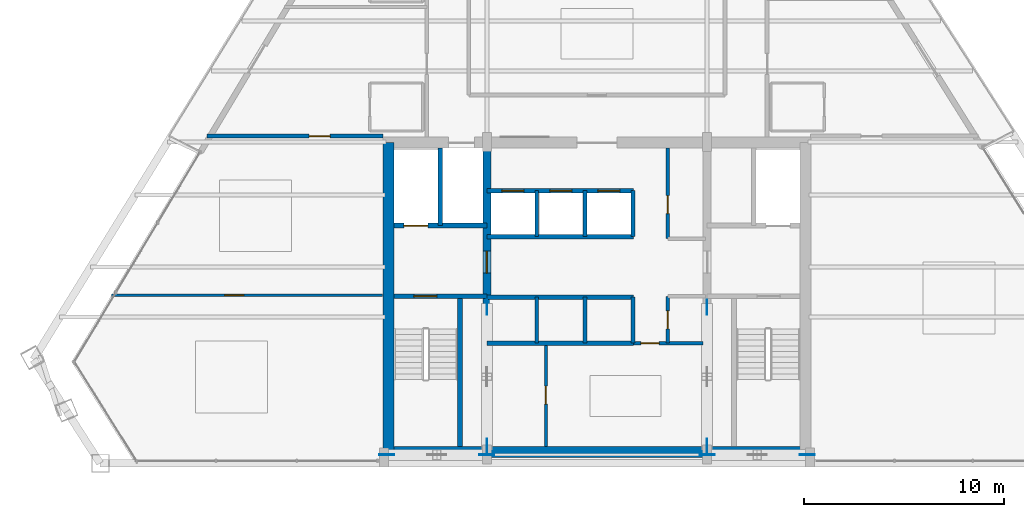
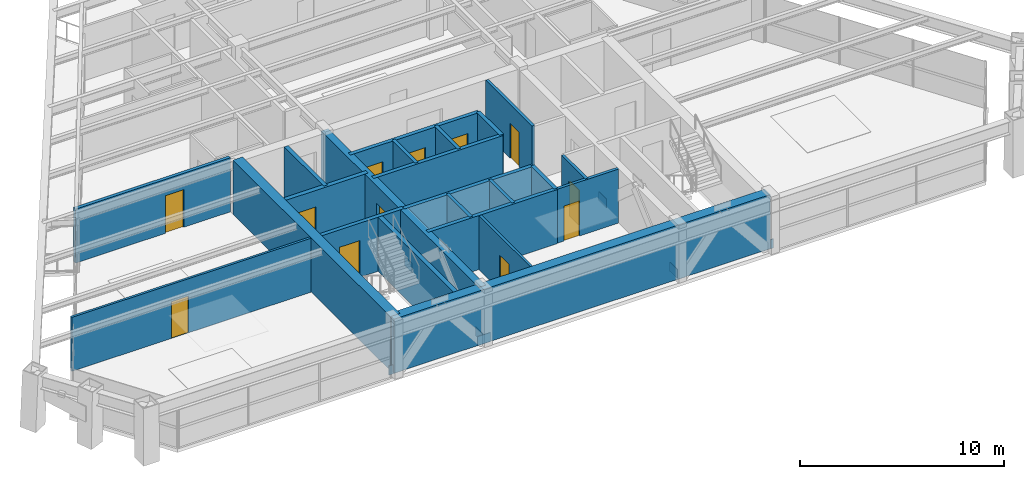
# One storey, part 8 of 12: 23 walls, 12 doors, 8 plates, 12 openings.
"""IFC4 building model written with IfcOpenShell, lengths in metres."""

from ifc_helpers import new_model, si_unit, direction, frame, frame_2d, origin, origin_2d, place, context, subcontext, project, spatial, rectangle, extrude, source, transform, mapped, material, layer, layer_set, type_object, type_shapes, element, fill, save


model = new_model("IFC4")

# Units and contexts
model_context = context("Model", 3, precision=1e-05, world=origin(), true_north=direction((0.0, 1.0)))
body_context = subcontext(model_context, "Body", "Model", "MODEL_VIEW")
ifc_project = project(units=[si_unit("LENGTHUNIT", "METRE"), si_unit("AREAUNIT", "SQUARE_METRE"), si_unit("VOLUMEUNIT", "CUBIC_METRE"), si_unit("PLANEANGLEUNIT", "RADIAN"), si_unit("MASSUNIT", "GRAM", prefix="KILO")], contexts=[model_context])

# Site, building, storey
site_placement = place(None, origin())
site = spatial("IfcSite", under=ifc_project, at=site_placement, CompositionType="ELEMENT")
building_placement = place(site_placement, origin())
building = spatial("IfcBuilding", under=site, at=building_placement, Name="Varnakhor Terracotta Tower", CompositionType="ELEMENT")
storey_placement = place(building_placement, frame((0.0, 0.0, 220.0)))
storey = spatial("IfcBuildingStorey", under=building, at=storey_placement, Name="L56", CompositionType="ELEMENT", Elevation=220.0)

# Plates
ifc_material_1 = material(Name="Steel S460", Category="steel")
ifc_layer_1 = layer(ifc_material_1, 0.050048828125, Name="Steel S460")
ifc_layer_set_1 = layer_set([ifc_layer_1], Name="Steel S460")
plate_type = type_object("IfcPlateType", Name="PLT-GUSSET-50", PredefinedType="USERDEFINED", material=ifc_layer_set_1)
shared_shape_1 = source(origin(), body_context, "Body", "SweptSolid", [
    extrude(rectangle(XDim=0.75, YDim=0.0400390625, at=origin_2d()), origin(), (0.0, 0.0, 1.0), 0.550048828125),
])
type_shapes(plate_type, [shared_shape_1])
for number, where, z_axis, x_axis, name in (
    (1, (-10.5, 0.419921875, -0.09521484375), (0.0, 0.0, 1.0), (1.0, 0.0, 0.0), "L56 Core Brace Embed Plate CSWA"),
    (2, (-5.5, 0.419921875, -0.09521484375), (0.0, 0.0, 1.0), (1.0, 0.0, 0.0), "L56 Core Brace Embed Plate CSWB"),
    (3, (5.5, 0.419921875, -0.09521484375), (0.0, 0.0, 1.0), (1.0, 0.0, 0.0), "L56 Core Brace Embed Plate CSEA"),
    (4, (10.5, 0.419921875, -0.09521484375), (0.0, 0.0, 1.0), (1.0, 0.0, 0.0), "L56 Core Brace Embed Plate CSEB"),
    (5, (-5.5, 0.85009765625, -0.09521484375), (0.0, 0.0, 1.0), (0.0, 1.0, 0.0), "L56 Core Brace Embed Plate CWWA"),
    (6, (-5.5, 7.800048828125, -0.09521484375), (0.0, 0.0, 1.0), (0.0, 1.0, 0.0), "L56 Core Brace Embed Plate CWWB"),
    (7, (5.5, 0.85009765625, -0.09521484375), (0.0, 0.0, 1.0), (0.0, 1.0, 0.0), "L56 Core Brace Embed Plate CWEA"),
    (8, (5.5, 7.800048828125, -0.09521484375), (0.0, 0.0, 1.0), (0.0, 1.0, 0.0), "L56 Core Brace Embed Plate CWEB"),
):
    element("IfcPlate", number, at=place(storey_placement, frame(where, z_axis=z_axis, x_axis=x_axis)), inside=storey, type_object=plate_type, Name=name, ObjectType="GUSSET PLATE", PredefinedType="USERDEFINED", context=body_context, shape_type="MappedRepresentation", body=[
        mapped(shared_shape_1, transform((0.0, 0.0, 0.0), scale=1.0)),
    ])

# Walls
ifc_material_2 = material(Name="Concrete C50/60", Category="concrete")
ifc_layer_2 = layer(ifc_material_2, 0.550048828125, Name="Concrete C50/60")
ifc_layer_set_2 = layer_set([ifc_layer_2], Name="Concrete C50/60")
wall_type_1 = type_object("IfcWallType", Name="WAL-CORE-550", PredefinedType="SHEAR", material=ifc_layer_set_2)
wall_1_placement = place(storey_placement, frame((-10.64990234375, 0.574951171875, 0.0), z_axis=(0.0, 0.0, 1.0), x_axis=(1.0, 0.0, 0.0)))
element("IfcWall", 9, at=wall_1_placement, inside=storey, type_object=wall_type_1, Name="L56 South Core Shear Wall", PredefinedType="SHEAR", context=body_context, shape_type="SweptSolid", body=[
    extrude(rectangle(XDim=21.2998046875, YDim=0.550048828125, at=frame_2d((10.64990234375, 0.0))), origin(), (0.0, 0.0, 1.0), 3.239990234375),
])
wall_2_placement = place(storey_placement, frame((-10.425048828125, 0.574951171875, 0.0), z_axis=(0.0, 0.0, 1.0), x_axis=(0.0, 1.0, 0.0)))
element("IfcWall", 10, at=wall_2_placement, inside=storey, type_object=wall_type_1, Name="L56 West Core Shear Wall", PredefinedType="SHEAR", context=body_context, shape_type="SweptSolid", body=[
    extrude(rectangle(XDim=15.449951171875, YDim=0.550048828125, at=frame_2d((7.72509765625, 0.0))), origin(), (0.0, 0.0, 1.0), 3.239990234375),
])

# Wall, opening, door
ifc_layer_3 = layer(ifc_material_2, 0.39990234375, Name="Concrete C50/60")
ifc_layer_set_3 = layer_set([ifc_layer_3], Name="Concrete C50/60")
wall_type_2 = type_object("IfcWallType", Name="WAL-CORE-WEB-400", PredefinedType="SHEAR", material=ifc_layer_set_3)
wall_3_placement = place(storey_placement, frame((-5.5, 0.574951171875, 0.0), z_axis=(0.0, 0.0, 1.0), x_axis=(0.0, 1.0, 0.0)))
wall_3 = element("IfcWall", 11, at=wall_3_placement, inside=storey, type_object=wall_type_2, Name="L56 West Core Web Shear Wall", PredefinedType="SHEAR", context=body_context, shape_type="SweptSolid", body=[
    extrude(rectangle(XDim=15.449951171875, YDim=0.39990234375, at=frame_2d((7.72509765625, 0.0))), origin(), (0.0, 0.0, 1.0), 3.239990234375),
])
opening_1_placement = place(wall_3_placement, frame((8.925048828125, 0.0, 0.0)))
opening_1 = element("IfcOpeningElement", 12, at=opening_1_placement, cuts=wall_3, Name="Opening DR-25", PredefinedType="OPENING", context=body_context, shape_type="SweptSolid", body=[
    extrude(rectangle(XDim=1.10009765625, YDim=2.199951171875, at=frame_2d((0.550048828125, 1.10009765625))), frame((0.0, 0.2099609375, 0.0), z_axis=(0.0, -1.0, 0.0), x_axis=(1.0, 0.0, 0.0)), (0.0, 0.0, 1.0), 0.419921875),
])
ifc_material_3 = material(Name="Firefighting Lobby Self-Closing Fire Door", Category="steel")
door_type_1 = type_object("IfcDoorType", Name="DR-FFL-1100X2200", OperationType="NOTDEFINED", PredefinedType="DOOR", material=ifc_material_3)
shared_shape_2 = source(origin(), body_context, "Body", "SweptSolid", [
    extrude(rectangle(XDim=1.10009765625, YDim=2.199951171875, at=frame_2d((0.550048828125, 1.10009765625))), frame((0.0, 0.02490234375, 0.0), z_axis=(0.0, -1.0, 0.0), x_axis=(1.0, 0.0, 0.0)), (0.0, 0.0, 1.0), 0.050048828125),
])
type_shapes(door_type_1, [shared_shape_2])
door_1_placement = place(opening_1_placement, origin())
door_1 = element("IfcDoor", 13, at=door_1_placement, inside=storey, type_object=door_type_1, Name="L56 West Firefighting Lobby Door", OperationType="SINGLE_SWING_RIGHT", OverallHeight=2.199951171875, OverallWidth=1.10009765625, PredefinedType="DOOR", context=body_context, shape_type="MappedRepresentation", body=[
    mapped(shared_shape_2, transform((0.0, 0.0, 0.0), scale=1.0)),
])
fill(opening_1, door_1)

ifc_material_4 = material(Name="Fire-Rated Gypsum Stud Partition", Category="gypsum")
ifc_layer_4 = layer(ifc_material_4, 0.18505859375, Name="Fire-Rated Gypsum Stud Partition")
ifc_layer_set_4 = layer_set([ifc_layer_4], Name="Fire-Rated Gypsum Stud Partition")
wall_type_3 = type_object("IfcWallType", Name="WAL-CORR-185", PredefinedType="PARTITIONING", material=ifc_layer_set_4)
wall_4_placement = place(storey_placement, frame((-19.477783203125, 16.35009765625, 0.0), z_axis=(0.0, 0.0, 1.0), x_axis=(1.0, 0.0, 0.0)))
wall_4 = element("IfcWall", 14, at=wall_4_placement, inside=storey, type_object=wall_type_3, Name="L56 South West Guest Entry Wall", PredefinedType="PARTITIONING", context=body_context, shape_type="SweptSolid", body=[
    extrude(rectangle(XDim=8.7978515625, YDim=0.18505859375, at=frame_2d((4.39892578125, 0.0))), origin(), (0.0, 0.0, 1.0), 3.23193359375),
])
opening_2_placement = place(wall_4_placement, frame((5.091552734375, 0.0, 0.0)))
opening_2 = element("IfcOpeningElement", 15, at=opening_2_placement, cuts=wall_4, Name="Opening DR-95", PredefinedType="OPENING", context=body_context, shape_type="SweptSolid", body=[
    extrude(rectangle(XDim=1.050048828125, YDim=2.25, at=frame_2d((0.52490234375, 1.125))), frame((0.0, 0.1025390625, 0.0), z_axis=(0.0, -1.0, 0.0), x_axis=(1.0, 0.0, 0.0)), (0.0, 0.0, 1.0), 0.205078125),
])
ifc_material_5 = material(Name="Solid-Core Timber Tenant/Hotel Entrance Door", Category="wood")
door_type_2 = type_object("IfcDoorType", Name="DR-SUITE-1050X2250", OperationType="NOTDEFINED", PredefinedType="DOOR", material=ifc_material_5)
shared_shape_3 = source(origin(), body_context, "Body", "SweptSolid", [
    extrude(rectangle(XDim=1.050048828125, YDim=2.25, at=frame_2d((0.52490234375, 1.125))), frame((0.0, 0.02490234375, 0.0), z_axis=(0.0, -1.0, 0.0), x_axis=(1.0, 0.0, 0.0)), (0.0, 0.0, 1.0), 0.050048828125),
])
type_shapes(door_type_2, [shared_shape_3])
door_2_placement = place(opening_2_placement, origin())
door_2 = element("IfcDoor", 16, at=door_2_placement, inside=storey, type_object=door_type_2, Name="L56 SW Suite Entry Door", OperationType="SINGLE_SWING_LEFT", OverallHeight=2.25, OverallWidth=1.050048828125, PredefinedType="DOOR", context=body_context, shape_type="MappedRepresentation", body=[
    mapped(shared_shape_3, transform((0.0, 0.0, 0.0), scale=1.0)),
])
fill(opening_2, door_2)

ifc_material_6 = material(Name="Concrete C40/50", Category="concrete")
ifc_layer_5 = layer(ifc_material_6, 0.219970703125, Name="Concrete C40/50")
ifc_layer_set_5 = layer_set([ifc_layer_5], Name="Concrete C40/50")
wall_type_4 = type_object("IfcWallType", Name="WAL-FFLOBBY-220", PredefinedType="SOLIDWALL", material=ifc_layer_set_5)
wall_5_placement = place(storey_placement, frame((-5.5, 8.35009765625, 0.0), z_axis=(0.0, 0.0, 1.0), x_axis=(-1.0, 0.0, 0.0)))
wall_5 = element("IfcWall", 17, at=wall_5_placement, inside=storey, type_object=wall_type_4, Name="L56 West Firefighting Lobby Stair Wall", PredefinedType="SOLIDWALL", context=body_context, shape_type="SweptSolid", body=[
    extrude(rectangle(XDim=4.64990234375, YDim=0.219970703125, at=frame_2d((2.324951171875, 0.0))), origin(), (0.0, 0.0, 1.0), 3.239990234375),
])
opening_3_placement = place(wall_5_placement, frame((2.5, 0.0, 0.0)))
opening_3 = element("IfcOpeningElement", 18, at=opening_3_placement, cuts=wall_5, Name="Opening DR-34", PredefinedType="OPENING", context=body_context, shape_type="SweptSolid", body=[
    extrude(rectangle(XDim=1.14990234375, YDim=2.199951171875, at=frame_2d((0.574951171875, 1.10009765625))), frame((0.0, 0.1201171875, 0.0), z_axis=(0.0, -1.0, 0.0), x_axis=(1.0, 0.0, 0.0)), (0.0, 0.0, 1.0), 0.239990234375),
])
ifc_material_7 = material(Name="Self-Closing Smoke-Sealed Steel Fire Door", Category="steel")
door_type_3 = type_object("IfcDoorType", Name="DR-STAIR-1150X2200", OperationType="NOTDEFINED", PredefinedType="DOOR", material=ifc_material_7)
shared_shape_4 = source(origin(), body_context, "Body", "SweptSolid", [
    extrude(rectangle(XDim=1.14990234375, YDim=2.199951171875, at=frame_2d((0.574951171875, 1.10009765625))), frame((0.0, 0.02490234375, 0.0), z_axis=(0.0, -1.0, 0.0), x_axis=(1.0, 0.0, 0.0)), (0.0, 0.0, 1.0), 0.050048828125),
])
type_shapes(door_type_3, [shared_shape_4])
door_3_placement = place(opening_3_placement, origin())
door_3 = element("IfcDoor", 19, at=door_3_placement, inside=storey, type_object=door_type_3, Name="L56 Exit Stair ST-1 Fire Door", OperationType="SINGLE_SWING_LEFT", OverallHeight=2.199951171875, OverallWidth=1.14990234375, PredefinedType="DOOR", context=body_context, shape_type="MappedRepresentation", body=[
    mapped(shared_shape_4, transform((0.0, 0.0, 0.0), scale=1.0)),
])
fill(opening_3, door_3)

ifc_material_8 = material(Name="Acoustic Hotel Room Partition", Category="gypsum")
ifc_layer_6 = layer(ifc_material_8, 0.1298828125, Name="Acoustic Hotel Room Partition")
ifc_layer_set_6 = layer_set([ifc_layer_6], Name="Acoustic Hotel Room Partition")
wall_type_5 = type_object("IfcWallType", Name="WAL-PART-130", PredefinedType="PARTITIONING", material=ifc_layer_set_6)
wall_6_placement = place(storey_placement, frame((-24.24609375, 8.39990234375, 0.0), z_axis=(0.0, 0.0, 1.0), x_axis=(1.0, 0.0, 0.0)))
wall_6 = element("IfcWall", 20, at=wall_6_placement, inside=storey, type_object=wall_type_5, Name="L56 SW Key Split 1", PredefinedType="PARTITIONING", context=body_context, shape_type="SweptSolid", body=[
    extrude(rectangle(XDim=13.526123046875, YDim=0.1298828125, at=frame_2d((6.76318359375, 0.0))), origin(), (0.0, 0.0, 1.0), 3.23193359375),
])
opening_4_placement = place(wall_6_placement, frame((5.645751953125, 0.0, 0.0)))
opening_4 = element("IfcOpeningElement", 21, at=opening_4_placement, cuts=wall_6, Name="Opening DR-94", PredefinedType="OPENING", context=body_context, shape_type="SweptSolid", body=[
    extrude(rectangle(XDim=0.949951171875, YDim=2.199951171875, at=frame_2d((0.47509765625, 1.10009765625))), frame((0.0, 0.074951171875, 0.0), z_axis=(0.0, -1.0, 0.0), x_axis=(1.0, 0.0, 0.0)), (0.0, 0.0, 1.0), 0.14990234375),
])
ifc_material_9 = material(Name="Acoustic Glazed-Vision Timber Office Door", Category="wood")
door_type_4 = type_object("IfcDoorType", Name="DR-OFF-950X2200", OperationType="NOTDEFINED", PredefinedType="DOOR", material=ifc_material_9)
shared_shape_5 = source(origin(), body_context, "Body", "SweptSolid", [
    extrude(rectangle(XDim=0.949951171875, YDim=2.199951171875, at=frame_2d((0.47509765625, 1.10009765625))), frame((0.0, 0.02490234375, 0.0), z_axis=(0.0, -1.0, 0.0), x_axis=(1.0, 0.0, 0.0)), (0.0, 0.0, 1.0), 0.050048828125),
])
type_shapes(door_type_4, [shared_shape_5])
door_4_placement = place(opening_4_placement, origin())
door_4 = element("IfcDoor", 22, at=door_4_placement, inside=storey, type_object=door_type_4, Name="L56 SW Suite Connect Door 1", OperationType="SINGLE_SWING_LEFT", OverallHeight=2.199951171875, OverallWidth=0.949951171875, PredefinedType="DOOR", context=body_context, shape_type="MappedRepresentation", body=[
    mapped(shared_shape_5, transform((0.0, 0.0, 0.0), scale=1.0)),
])
fill(opening_4, door_4)

# Walls
ifc_layer_7 = layer(ifc_material_6, 0.179931640625, Name="Concrete C40/50")
ifc_layer_set_7 = layer_set([ifc_layer_7], Name="Concrete C40/50")
wall_type_6 = type_object("IfcWallType", Name="WAL-SHAFT-180", PredefinedType="SOLIDWALL", material=ifc_layer_set_7)
for number, where, z_axis, x_axis, name in (
    (23, (-3.0, 6.0, 0.0), (0.0, 0.0, 1.0), (0.0, 1.0, 0.0), "L56 PL-2A Divider"),
    (24, (-0.60009765625, 6.0, 0.0), (0.0, 0.0, 1.0), (0.0, 1.0, 0.0), "L56 PL-2B Divider"),
    (25, (-3.0, 11.320068359375, 0.0), (0.0, 0.0, 1.0), (0.0, 1.0, 0.0), "L56 PL-3A Divider"),
    (26, (-0.60009765625, 11.320068359375, 0.0), (0.0, 0.0, 1.0), (0.0, 1.0, 0.0), "L56 PL-3B Divider"),
):
    element("IfcWall", number, at=place(storey_placement, frame(where, z_axis=z_axis, x_axis=x_axis)), inside=storey, type_object=wall_type_6, Name=name, PredefinedType="SOLIDWALL", context=body_context, shape_type="SweptSolid", body=[
        extrude(rectangle(XDim=2.300048828125, YDim=0.179931640625, at=frame_2d((1.14990234375, 0.0))), origin(), (0.0, 0.0, 1.0), 3.239990234375),
    ])
ifc_layer_8 = layer(ifc_material_6, 0.219970703125, Name="Concrete C40/50")
ifc_layer_set_8 = layer_set([ifc_layer_8], Name="Concrete C40/50")
wall_type_7 = type_object("IfcWallType", Name="WAL-SHAFT-220", PredefinedType="SOLIDWALL", material=ifc_layer_set_8)
wall_7_placement = place(storey_placement, frame((-7.840087890625, 11.8701171875, 0.0), z_axis=(0.0, 0.0, 1.0), x_axis=(0.0, 1.0, 0.0)))
element("IfcWall", 27, at=wall_7_placement, inside=storey, type_object=wall_type_7, Name="L56 Lift FFL-1 and SVL-1 Divider Wall", PredefinedType="SOLIDWALL", context=body_context, shape_type="SweptSolid", body=[
    extrude(rectangle(XDim=3.8798828125, YDim=0.219970703125, at=frame_2d((1.93994140625, 0.0))), origin(), (0.0, 0.0, 1.0), 3.239990234375),
])
for number, where, z_axis, x_axis, name in (
    (28, (-5.5, 6.0, 0.0), (0.0, 0.0, 1.0), (1.0, 0.0, 0.0), "L56 Bank 2 South Shaft Wall"),
    (29, (-5.5, 8.300048828125, 0.0), (0.0, 0.0, 1.0), (1.0, 0.0, 0.0), "L56 Bank 2 North Shaft Wall"),
):
    element("IfcWall", number, at=place(storey_placement, frame(where, z_axis=z_axis, x_axis=x_axis)), inside=storey, type_object=wall_type_7, Name=name, PredefinedType="SOLIDWALL", context=body_context, shape_type="SweptSolid", body=[
        extrude(rectangle(XDim=7.320068359375, YDim=0.219970703125, at=frame_2d((3.66015625, 0.0))), origin(), (0.0, 0.0, 1.0), 3.239990234375),
    ])
wall_8_placement = place(storey_placement, frame((1.800048828125, 6.0, 0.0), z_axis=(0.0, 0.0, 1.0), x_axis=(0.0, 1.0, 0.0)))
element("IfcWall", 30, at=wall_8_placement, inside=storey, type_object=wall_type_7, Name="L56 Bank 2 East Shaft Wall", PredefinedType="SOLIDWALL", context=body_context, shape_type="SweptSolid", body=[
    extrude(rectangle(XDim=2.300048828125, YDim=0.219970703125, at=frame_2d((1.14990234375, 0.0))), origin(), (0.0, 0.0, 1.0), 3.239990234375),
])
wall_9_placement = place(storey_placement, frame((-5.5, 11.320068359375, 0.0), z_axis=(0.0, 0.0, 1.0), x_axis=(1.0, 0.0, 0.0)))
element("IfcWall", 31, at=wall_9_placement, inside=storey, type_object=wall_type_7, Name="L56 Bank 3 South Shaft Wall", PredefinedType="SOLIDWALL", context=body_context, shape_type="SweptSolid", body=[
    extrude(rectangle(XDim=7.320068359375, YDim=0.219970703125, at=frame_2d((3.66015625, 0.0))), origin(), (0.0, 0.0, 1.0), 3.239990234375),
])

# Wall, openings, doors
wall_10_placement = place(storey_placement, frame((-5.5, 13.6201171875, 0.0), z_axis=(0.0, 0.0, 1.0), x_axis=(1.0, 0.0, 0.0)))
wall_10 = element("IfcWall", 32, at=wall_10_placement, inside=storey, type_object=wall_type_7, Name="L56 Bank 3 North Shaft Wall", PredefinedType="SOLIDWALL", context=body_context, shape_type="SweptSolid", body=[
    extrude(rectangle(XDim=7.320068359375, YDim=0.219970703125, at=frame_2d((3.66015625, 0.0))), origin(), (0.0, 0.0, 1.0), 3.239990234375),
])
opening_5_placement = place(wall_10_placement, frame((0.75, 0.0, 0.0)))
opening_5 = element("IfcOpeningElement", 33, at=opening_5_placement, cuts=wall_10, Name="Opening LD-01", PredefinedType="OPENING", context=body_context, shape_type="SweptSolid", body=[
    extrude(rectangle(XDim=1.10009765625, YDim=2.199951171875, at=frame_2d((0.550048828125, 1.10009765625))), frame((0.0, 0.1201171875, 0.0), z_axis=(0.0, -1.0, 0.0), x_axis=(1.0, 0.0, 0.0)), (0.0, 0.0, 1.0), 0.239990234375),
])
opening_6_placement = place(wall_10_placement, frame((3.14990234375, 0.0, 0.0)))
opening_6 = element("IfcOpeningElement", 34, at=opening_6_placement, cuts=wall_10, Name="Opening LD-01", PredefinedType="OPENING", context=body_context, shape_type="SweptSolid", body=[
    extrude(rectangle(XDim=1.10009765625, YDim=2.199951171875, at=frame_2d((0.550048828125, 1.10009765625))), frame((0.0, 0.1201171875, 0.0), z_axis=(0.0, -1.0, 0.0), x_axis=(1.0, 0.0, 0.0)), (0.0, 0.0, 1.0), 0.239990234375),
])
opening_7_placement = place(wall_10_placement, frame((5.550048828125, 0.0, 0.0)))
opening_7 = element("IfcOpeningElement", 35, at=opening_7_placement, cuts=wall_10, Name="Opening LD-01", PredefinedType="OPENING", context=body_context, shape_type="SweptSolid", body=[
    extrude(rectangle(XDim=1.10009765625, YDim=2.199951171875, at=frame_2d((0.550048828125, 1.10009765625))), frame((0.0, 0.1201171875, 0.0), z_axis=(0.0, -1.0, 0.0), x_axis=(1.0, 0.0, 0.0)), (0.0, 0.0, 1.0), 0.239990234375),
])
ifc_material_10 = material(Name="Brushed Stainless Steel Sliding Lift Landing Door", Category="steel")
door_type_5 = type_object("IfcDoorType", Name="LD-PASS-1100X2200", OperationType="NOTDEFINED", PredefinedType="DOOR", material=ifc_material_10)
shared_shape_6 = source(origin(), body_context, "Body", "SweptSolid", [
    extrude(rectangle(XDim=1.10009765625, YDim=2.199951171875, at=frame_2d((0.550048828125, 1.10009765625))), frame((0.0, 0.02490234375, 0.0), z_axis=(0.0, -1.0, 0.0), x_axis=(1.0, 0.0, 0.0)), (0.0, 0.0, 1.0), 0.050048828125),
])
type_shapes(door_type_5, [shared_shape_6])
door_5_placement = place(opening_5_placement, origin())
door_5 = element("IfcDoor", 36, at=door_5_placement, inside=storey, type_object=door_type_5, Name="L56 Passenger Lift PL-3A Landing Door", OperationType="SLIDING_TO_RIGHT", OverallHeight=2.199951171875, OverallWidth=1.10009765625, PredefinedType="DOOR", context=body_context, shape_type="MappedRepresentation", body=[
    mapped(shared_shape_6, transform((0.0, 0.0, 0.0), scale=1.0)),
])
fill(opening_5, door_5)
door_6_placement = place(opening_6_placement, origin())
door_6 = element("IfcDoor", 37, at=door_6_placement, inside=storey, type_object=door_type_5, Name="L56 Passenger Lift PL-3B Landing Door", OperationType="SLIDING_TO_RIGHT", OverallHeight=2.199951171875, OverallWidth=1.10009765625, PredefinedType="DOOR", context=body_context, shape_type="MappedRepresentation", body=[
    mapped(shared_shape_6, transform((0.0, 0.0, 0.0), scale=1.0)),
])
fill(opening_6, door_6)
door_7_placement = place(opening_7_placement, origin())
door_7 = element("IfcDoor", 38, at=door_7_placement, inside=storey, type_object=door_type_5, Name="L56 Passenger Lift PL-3C Landing Door", OperationType="SLIDING_TO_RIGHT", OverallHeight=2.199951171875, OverallWidth=1.10009765625, PredefinedType="DOOR", context=body_context, shape_type="MappedRepresentation", body=[
    mapped(shared_shape_6, transform((0.0, 0.0, 0.0), scale=1.0)),
])
fill(opening_7, door_7)

# Walls
wall_11_placement = place(storey_placement, frame((1.800048828125, 11.320068359375, 0.0), z_axis=(0.0, 0.0, 1.0), x_axis=(0.0, 1.0, 0.0)))
element("IfcWall", 39, at=wall_11_placement, inside=storey, type_object=wall_type_7, Name="L56 Bank 3 East Shaft Wall", PredefinedType="SOLIDWALL", context=body_context, shape_type="SweptSolid", body=[
    extrude(rectangle(XDim=2.300048828125, YDim=0.219970703125, at=frame_2d((1.14990234375, 0.0))), origin(), (0.0, 0.0, 1.0), 3.239990234375),
])
ifc_layer_9 = layer(ifc_material_6, 0.25, Name="Concrete C40/50")
ifc_layer_set_9 = layer_set([ifc_layer_9], Name="Concrete C40/50")
wall_type_8 = type_object("IfcWallType", Name="WAL-SHAFT-250", PredefinedType="SOLIDWALL", material=ifc_layer_set_9)
wall_12_placement = place(storey_placement, frame((-6.85009765625, 0.85009765625, 0.0), z_axis=(0.0, 0.0, 1.0), x_axis=(0.0, 1.0, 0.0)))
element("IfcWall", 40, at=wall_12_placement, inside=storey, type_object=wall_type_8, Name="L56 Stair ST-1 Bearing Shaft Wall", PredefinedType="SOLIDWALL", context=body_context, shape_type="SweptSolid", body=[
    extrude(rectangle(XDim=7.5, YDim=0.25, at=frame_2d((3.75, 0.0))), origin(), (0.0, 0.0, 1.0), 3.239990234375),
])

# Wall, opening, door
wall_13_placement = place(storey_placement, frame((-5.5, 11.8701171875, 0.0), z_axis=(0.0, 0.0, 1.0), x_axis=(-1.0, 0.0, 0.0)))
wall_13 = element("IfcWall", 41, at=wall_13_placement, inside=storey, type_object=wall_type_8, Name="L56 Lift FFL-1 Shaft Front Wall", PredefinedType="SOLIDWALL", context=body_context, shape_type="SweptSolid", body=[
    extrude(rectangle(XDim=4.64990234375, YDim=0.25, at=frame_2d((2.324951171875, 0.0))), origin(), (0.0, 0.0, 1.0), 3.239990234375),
])
opening_8_placement = place(wall_13_placement, frame((2.949951171875, 0.0, 0.0)))
opening_8 = element("IfcOpeningElement", 42, at=opening_8_placement, cuts=wall_13, Name="Opening LD-02", PredefinedType="OPENING", context=body_context, shape_type="SweptSolid", body=[
    extrude(rectangle(XDim=1.199951171875, YDim=2.25, at=frame_2d((0.60009765625, 1.125))), frame((0.0, 0.135009765625, 0.0), z_axis=(0.0, -1.0, 0.0), x_axis=(1.0, 0.0, 0.0)), (0.0, 0.0, 1.0), 0.27001953125),
])
ifc_material_11 = material(Name="Firefighting Stretcher Sliding Lift Landing Door", Category="steel")
door_type_6 = type_object("IfcDoorType", Name="LD-FFL-1200X2250", OperationType="NOTDEFINED", PredefinedType="DOOR", material=ifc_material_11)
shared_shape_7 = source(origin(), body_context, "Body", "SweptSolid", [
    extrude(rectangle(XDim=1.199951171875, YDim=2.25, at=frame_2d((0.60009765625, 1.125))), frame((0.0, 0.02490234375, 0.0), z_axis=(0.0, -1.0, 0.0), x_axis=(1.0, 0.0, 0.0)), (0.0, 0.0, 1.0), 0.050048828125),
])
type_shapes(door_type_6, [shared_shape_7])
door_8_placement = place(opening_8_placement, origin())
door_8 = element("IfcDoor", 43, at=door_8_placement, inside=storey, type_object=door_type_6, Name="L56 Firefighting Lift FFL-1 Landing Door", OperationType="SLIDING_TO_LEFT", OverallHeight=2.25, OverallWidth=1.199951171875, PredefinedType="DOOR", context=body_context, shape_type="MappedRepresentation", body=[
    mapped(shared_shape_7, transform((0.0, 0.0, 0.0), scale=1.0)),
])
fill(opening_8, door_8)

ifc_material_12 = material(Name="Acoustic Fire-Rated Partition", Category="gypsum")
ifc_layer_10 = layer(ifc_material_12, 0.139892578125, Name="Acoustic Fire-Rated Partition")
ifc_layer_set_10 = layer_set([ifc_layer_10], Name="Acoustic Fire-Rated Partition")
wall_type_9 = type_object("IfcWallType", Name="WAL-TENANCY-140", PredefinedType="PARTITIONING", material=ifc_layer_set_10)
wall_14_placement = place(storey_placement, frame((-2.550048828125, 0.85009765625, 0.0), z_axis=(0.0, 0.0, 1.0), x_axis=(0.0, 1.0, 0.0)))
wall_14 = element("IfcWall", 44, at=wall_14_placement, inside=storey, type_object=wall_type_9, Name="L56 Reclaimed Core Bay Split Wall", PredefinedType="PARTITIONING", context=body_context, shape_type="SweptSolid", body=[
    extrude(rectangle(XDim=5.02978515625, YDim=0.139892578125, at=frame_2d((2.514892578125, 0.0))), origin(), (0.0, 0.0, 1.0), 3.23193359375),
])
opening_9_placement = place(wall_14_placement, frame((2.10009765625, 0.0, 0.0)))
opening_9 = element("IfcOpeningElement", 45, at=opening_9_placement, cuts=wall_14, Name="Opening DR-67", PredefinedType="OPENING", context=body_context, shape_type="SweptSolid", body=[
    extrude(rectangle(XDim=0.89990234375, YDim=2.10009765625, at=frame_2d((0.449951171875, 1.050048828125))), frame((0.0, 0.080078125, 0.0), z_axis=(0.0, -1.0, 0.0), x_axis=(1.0, 0.0, 0.0)), (0.0, 0.0, 1.0), 0.159912109375),
])
ifc_material_13 = material(Name="Steel Service Riser Fire Door", Category="steel")
door_type_7 = type_object("IfcDoorType", Name="DR-RISER-900X2100", OperationType="NOTDEFINED", PredefinedType="DOOR", material=ifc_material_13)
shared_shape_8 = source(origin(), body_context, "Body", "SweptSolid", [
    extrude(rectangle(XDim=0.89990234375, YDim=2.10009765625, at=frame_2d((0.449951171875, 1.050048828125))), frame((0.0, 0.02490234375, 0.0), z_axis=(0.0, -1.0, 0.0), x_axis=(1.0, 0.0, 0.0)), (0.0, 0.0, 1.0), 0.050048828125),
])
type_shapes(door_type_7, [shared_shape_8])
door_9_placement = place(opening_9_placement, origin())
door_9 = element("IfcDoor", 46, at=door_9_placement, inside=storey, type_object=door_type_7, Name="L56 Core Inner Service Door", OperationType="SINGLE_SWING_RIGHT", OverallHeight=2.10009765625, OverallWidth=0.89990234375, PredefinedType="DOOR", context=body_context, shape_type="MappedRepresentation", body=[
    mapped(shared_shape_8, transform((0.0, 0.0, 0.0), scale=1.0)),
])
fill(opening_9, door_9)

ifc_layer_11 = layer(ifc_material_12, 0.1650390625, Name="Acoustic Fire-Rated Partition")
ifc_layer_set_11 = layer_set([ifc_layer_11], Name="Acoustic Fire-Rated Partition")
wall_type_10 = type_object("IfcWallType", Name="WAL-TENANCY-165", PredefinedType="PARTITIONING", material=ifc_layer_set_11)
wall_15_placement = place(storey_placement, frame((1.820068359375, 6.0, 0.0), z_axis=(0.0, 0.0, 1.0), x_axis=(1.0, 0.0, 0.0)))
wall_15 = element("IfcWall", 47, at=wall_15_placement, inside=storey, type_object=wall_type_10, Name="L56 Reclaimed Core Bay North Rated Wall", PredefinedType="PARTITIONING", context=body_context, shape_type="SweptSolid", body=[
    extrude(rectangle(XDim=3.47998046875, YDim=0.1650390625, at=frame_2d((1.739990234375, 0.0))), origin(), (0.0, 0.0, 1.0), 3.23193359375),
])
opening_10_placement = place(wall_15_placement, frame((0.3798828125, 0.0, 0.0)))
opening_10 = element("IfcOpeningElement", 48, at=opening_10_placement, cuts=wall_15, Name="Opening DR-67", PredefinedType="OPENING", context=body_context, shape_type="SweptSolid", body=[
    extrude(rectangle(XDim=0.89990234375, YDim=2.10009765625, at=frame_2d((0.449951171875, 1.050048828125))), frame((0.0, 0.092529296875, 0.0), z_axis=(0.0, -1.0, 0.0), x_axis=(1.0, 0.0, 0.0)), (0.0, 0.0, 1.0), 0.18505859375),
])
door_10_placement = place(opening_10_placement, origin())
door_10 = element("IfcDoor", 49, at=door_10_placement, inside=storey, type_object=door_type_7, Name="L56 Core Reclaimed Suite Door", OperationType="SINGLE_SWING_LEFT", OverallHeight=2.10009765625, OverallWidth=0.89990234375, PredefinedType="DOOR", context=body_context, shape_type="MappedRepresentation", body=[
    mapped(shared_shape_8, transform((0.0, 0.0, 0.0), scale=1.0)),
])
fill(opening_10, door_10)

wall_16_placement = place(storey_placement, frame((3.5400390625, 6.0, 0.0), z_axis=(0.0, 0.0, 1.0), x_axis=(0.0, 1.0, 0.0)))
wall_16 = element("IfcWall", 50, at=wall_16_placement, inside=storey, type_object=wall_type_10, Name="L56 Accessible WC Rated Wall", PredefinedType="PARTITIONING", context=body_context, shape_type="SweptSolid", body=[
    extrude(rectangle(XDim=2.340087890625, YDim=0.1650390625, at=frame_2d((1.169921875, 0.0))), origin(), (0.0, 0.0, 1.0), 3.23193359375),
])
opening_11_placement = place(wall_16_placement, frame((0.719970703125, 0.0, 0.0)))
opening_11 = element("IfcOpeningElement", 51, at=opening_11_placement, cuts=wall_16, Name="Opening DR-67", PredefinedType="OPENING", context=body_context, shape_type="SweptSolid", body=[
    extrude(rectangle(XDim=0.89990234375, YDim=2.10009765625, at=frame_2d((0.449951171875, 1.050048828125))), frame((0.0, 0.092529296875, 0.0), z_axis=(0.0, -1.0, 0.0), x_axis=(1.0, 0.0, 0.0)), (0.0, 0.0, 1.0), 0.18505859375),
])
door_11_placement = place(opening_11_placement, origin())
door_11 = element("IfcDoor", 52, at=door_11_placement, inside=storey, type_object=door_type_7, Name="L56 Accessible WC Door", OperationType="SINGLE_SWING_LEFT", OverallHeight=2.10009765625, OverallWidth=0.89990234375, PredefinedType="DOOR", context=body_context, shape_type="MappedRepresentation", body=[
    mapped(shared_shape_8, transform((0.0, 0.0, 0.0), scale=1.0)),
])
fill(opening_11, door_11)

wall_17_placement = place(storey_placement, frame((3.5400390625, 11.219970703125, 0.0), z_axis=(0.0, 0.0, 1.0), x_axis=(0.0, 1.0, 0.0)))
wall_17 = element("IfcWall", 53, at=wall_17_placement, inside=storey, type_object=wall_type_10, Name="L56 Restroom Corridor Wall", PredefinedType="PARTITIONING", context=body_context, shape_type="SweptSolid", body=[
    extrude(rectangle(XDim=4.530029296875, YDim=0.1650390625, at=frame_2d((2.26513671875, 0.0))), origin(), (0.0, 0.0, 1.0), 3.23193359375),
])
opening_12_placement = place(wall_17_placement, frame((1.25, 0.0, 0.0)))
opening_12 = element("IfcOpeningElement", 54, at=opening_12_placement, cuts=wall_17, Name="Opening DR-67", PredefinedType="OPENING", context=body_context, shape_type="SweptSolid", body=[
    extrude(rectangle(XDim=0.89990234375, YDim=2.10009765625, at=frame_2d((0.449951171875, 1.050048828125))), frame((0.0, 0.092529296875, 0.0), z_axis=(0.0, -1.0, 0.0), x_axis=(1.0, 0.0, 0.0)), (0.0, 0.0, 1.0), 0.18505859375),
])
door_12_placement = place(opening_12_placement, origin())
door_12 = element("IfcDoor", 55, at=door_12_placement, inside=storey, type_object=door_type_7, Name="L56 Female WC Door", OperationType="SINGLE_SWING_RIGHT", OverallHeight=2.10009765625, OverallWidth=0.89990234375, PredefinedType="DOOR", context=body_context, shape_type="MappedRepresentation", body=[
    mapped(shared_shape_8, transform((0.0, 0.0, 0.0), scale=1.0)),
])
fill(opening_12, door_12)

save(model, "model.ifc")
